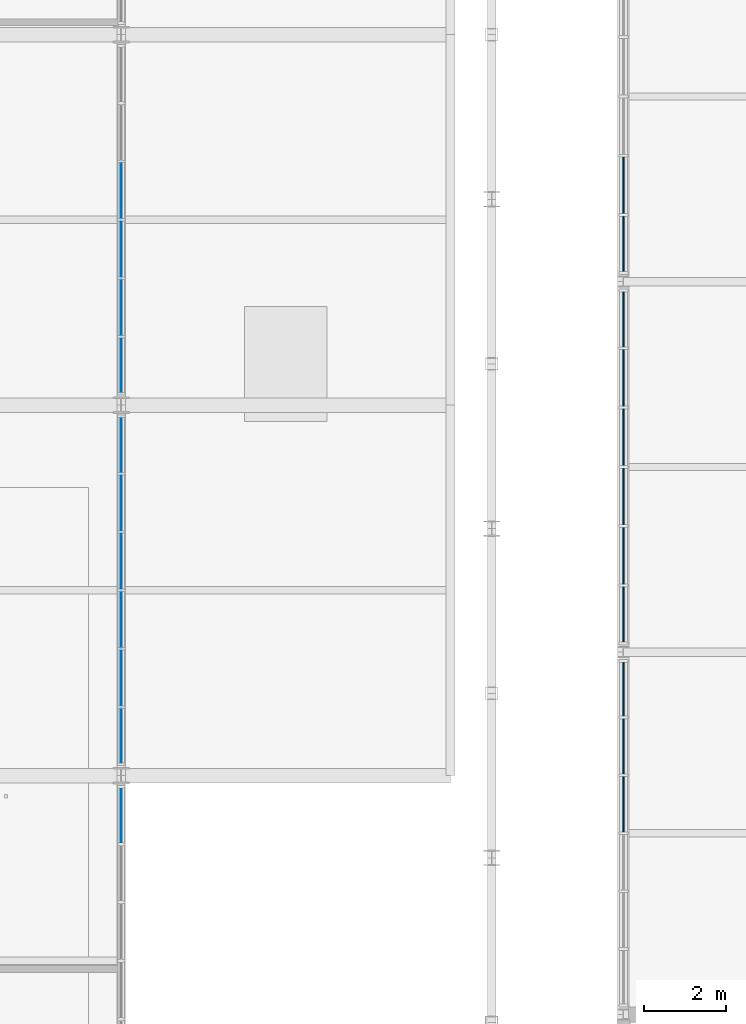
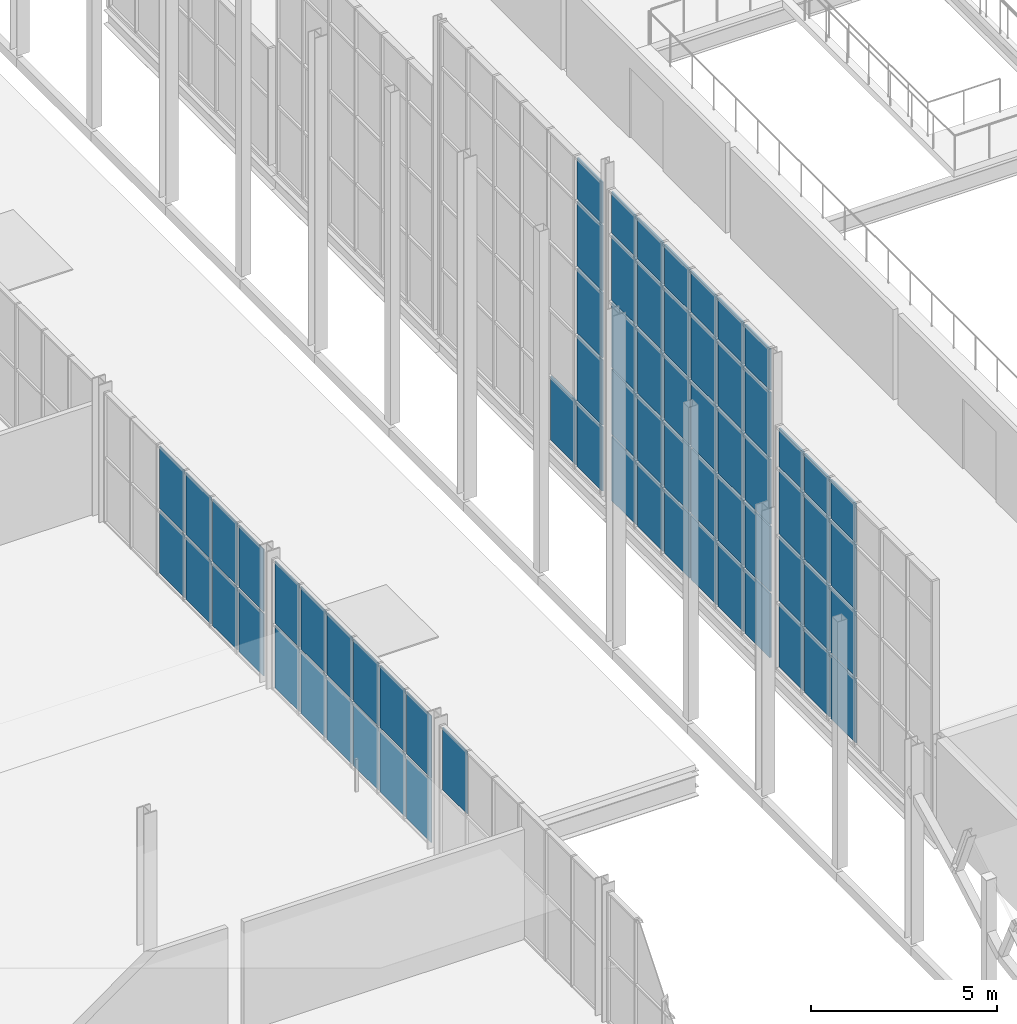
# One storey, part 95 of 134: 69 plates, 6 elements without a shape of their own.
"""IFC4 building model written with IfcOpenShell, lengths in metres."""

from ifc_helpers import new_model, si_unit, direction, frame, origin, origin_2d, place, context, subcontext, project, spatial, rectangle, extrude, material, layer, layer_set, type_object, element, aggregate, save


model = new_model("IFC4")

# Units and contexts
model_context = context("Model", 3, precision=1e-05, world=origin(), true_north=direction((0.0, 1.0)))
body_context = subcontext(model_context, "Body", "Model", "MODEL_VIEW")
ifc_project = project(units=[si_unit("LENGTHUNIT", "METRE"), si_unit("AREAUNIT", "SQUARE_METRE"), si_unit("VOLUMEUNIT", "CUBIC_METRE"), si_unit("PLANEANGLEUNIT", "RADIAN"), si_unit("MASSUNIT", "GRAM", prefix="KILO")], contexts=[model_context])

# Site, building, storey
site_placement = place(None, origin())
site = spatial("IfcSite", under=ifc_project, at=site_placement, CompositionType="ELEMENT")
building_placement = place(site_placement, origin())
building = spatial("IfcBuilding", under=site, at=building_placement, Name="Cazmaro Siding Exhibition Halls", CompositionType="ELEMENT")
storey_placement = place(building_placement, frame((0.0, 0.0, 12.0)))
storey = spatial("IfcBuildingStorey", under=building, at=storey_placement, Name="L02", CompositionType="ELEMENT", Elevation=12.0)

# Curtain wall, plate
ifc_material_1 = material(Name="Anodized Bronze Aluminum and Solar-Control Low-E Glazing", Category="aluminium")
ifc_layer_1 = layer(ifc_material_1, 0.179931640625)
ifc_layer_set_1 = layer_set([ifc_layer_1], Name="Anodized Bronze Aluminum and Solar-Control Low-E Glazing")
curtain_wall_type_1 = type_object("IfcCurtainWallType", Name="CWS-01", PredefinedType="USERDEFINED", material=ifc_layer_set_1)
curtain_wall_1_placement = place(storey_placement, origin())
curtain_wall_1 = element("IfcCurtainWall", 1, at=curtain_wall_1_placement, inside=storey, type_object=curtain_wall_type_1, Name="Glazed Curtain Wall CWS-01 CW-238", ObjectType="GLAZED CURTAIN WALL", PredefinedType="USERDEFINED")
ifc_material_2 = material(Name="Solar-Control Low-E Double Insulating Glass", Category="glass")
ifc_layer_2 = layer(ifc_material_2, 0.02392578125)
ifc_layer_set_2 = layer_set([ifc_layer_2], Name="Solar-Control Low-E Double Insulating Glass")
plate_type_1 = type_object("IfcPlateType", Name="CWP-01", PredefinedType="CURTAIN_PANEL", material=ifc_layer_set_2)
plate_1_placement = place(storey_placement, frame((36.0, 81.03076171875, 2.169921875), z_axis=(0.0, 0.0, 1.0), x_axis=(0.0, 1.0, 0.0)))
plate_1 = element("IfcPlate", 2, at=plate_1_placement, type_object=plate_type_1, Name="CWS-01 panel 6.2", PredefinedType="CURTAIN_PANEL", context=body_context, shape_type="SweptSolid", body=[
    extrude(rectangle(XDim=1.328369140625, YDim=0.02392578125, at=origin_2d()), origin(), (0.0, 0.0, 1.0), 2.050048828125),
])
aggregate(curtain_wall_1, [plate_1])

# Curtain wall, plates
curtain_wall_2_placement = place(storey_placement, origin())
curtain_wall_2 = element("IfcCurtainWall", 3, at=curtain_wall_2_placement, inside=storey, type_object=curtain_wall_type_1, Name="Glazed Curtain Wall CWS-01 CW-240", ObjectType="GLAZED CURTAIN WALL", PredefinedType="USERDEFINED")
plate_2_placement = place(storey_placement, frame((36.0, 82.96923828125, 0.06005859375), z_axis=(0.0, 0.0, 1.0), x_axis=(0.0, 1.0, 0.0)))
plate_2 = element("IfcPlate", 4, at=plate_2_placement, type_object=plate_type_1, Name="CWS-01 panel 1.1", PredefinedType="CURTAIN_PANEL", context=body_context, shape_type="SweptSolid", body=[
    extrude(rectangle(XDim=1.328369140625, YDim=0.02392578125, at=origin_2d()), origin(), (0.0, 0.0, 1.0), 2.050048828125),
])
plate_3_placement = place(storey_placement, frame((36.0, 82.96923828125, 2.169921875), z_axis=(0.0, 0.0, 1.0), x_axis=(0.0, 1.0, 0.0)))
plate_3 = element("IfcPlate", 5, at=plate_3_placement, type_object=plate_type_1, Name="CWS-01 panel 1.2", PredefinedType="CURTAIN_PANEL", context=body_context, shape_type="SweptSolid", body=[
    extrude(rectangle(XDim=1.328369140625, YDim=0.02392578125, at=origin_2d()), origin(), (0.0, 0.0, 1.0), 2.050048828125),
])
plate_4_placement = place(storey_placement, frame((36.0, 84.37255859375, 0.06005859375), z_axis=(0.0, 0.0, 1.0), x_axis=(0.0, 1.0, 0.0)))
plate_4 = element("IfcPlate", 6, at=plate_4_placement, type_object=plate_type_1, Name="CWS-01 panel 2.1", PredefinedType="CURTAIN_PANEL", context=body_context, shape_type="SweptSolid", body=[
    extrude(rectangle(XDim=1.3583984375, YDim=0.02392578125, at=origin_2d()), origin(), (0.0, 0.0, 1.0), 2.050048828125),
])
plate_5_placement = place(storey_placement, frame((36.0, 84.37255859375, 2.169921875), z_axis=(0.0, 0.0, 1.0), x_axis=(0.0, 1.0, 0.0)))
plate_5 = element("IfcPlate", 7, at=plate_5_placement, type_object=plate_type_1, Name="CWS-01 panel 2.2", PredefinedType="CURTAIN_PANEL", context=body_context, shape_type="SweptSolid", body=[
    extrude(rectangle(XDim=1.3583984375, YDim=0.02392578125, at=origin_2d()), origin(), (0.0, 0.0, 1.0), 2.050048828125),
])
plate_6_placement = place(storey_placement, frame((36.0, 85.790771484375, 0.06005859375), z_axis=(0.0, 0.0, 1.0), x_axis=(0.0, 1.0, 0.0)))
plate_6 = element("IfcPlate", 8, at=plate_6_placement, type_object=plate_type_1, Name="CWS-01 panel 3.1", PredefinedType="CURTAIN_PANEL", context=body_context, shape_type="SweptSolid", body=[
    extrude(rectangle(XDim=1.3583984375, YDim=0.02392578125, at=origin_2d()), origin(), (0.0, 0.0, 1.0), 2.050048828125),
])
plate_7_placement = place(storey_placement, frame((36.0, 85.790771484375, 2.169921875), z_axis=(0.0, 0.0, 1.0), x_axis=(0.0, 1.0, 0.0)))
plate_7 = element("IfcPlate", 9, at=plate_7_placement, type_object=plate_type_1, Name="CWS-01 panel 3.2", PredefinedType="CURTAIN_PANEL", context=body_context, shape_type="SweptSolid", body=[
    extrude(rectangle(XDim=1.3583984375, YDim=0.02392578125, at=origin_2d()), origin(), (0.0, 0.0, 1.0), 2.050048828125),
])
plate_8_placement = place(storey_placement, frame((36.0, 87.209228515625, 0.06005859375), z_axis=(0.0, 0.0, 1.0), x_axis=(0.0, 1.0, 0.0)))
plate_8 = element("IfcPlate", 10, at=plate_8_placement, type_object=plate_type_1, Name="CWS-01 panel 4.1", PredefinedType="CURTAIN_PANEL", context=body_context, shape_type="SweptSolid", body=[
    extrude(rectangle(XDim=1.3583984375, YDim=0.02392578125, at=origin_2d()), origin(), (0.0, 0.0, 1.0), 2.050048828125),
])
plate_9_placement = place(storey_placement, frame((36.0, 87.209228515625, 2.169921875), z_axis=(0.0, 0.0, 1.0), x_axis=(0.0, 1.0, 0.0)))
plate_9 = element("IfcPlate", 11, at=plate_9_placement, type_object=plate_type_1, Name="CWS-01 panel 4.2", PredefinedType="CURTAIN_PANEL", context=body_context, shape_type="SweptSolid", body=[
    extrude(rectangle(XDim=1.3583984375, YDim=0.02392578125, at=origin_2d()), origin(), (0.0, 0.0, 1.0), 2.050048828125),
])
plate_10_placement = place(storey_placement, frame((36.0, 88.62744140625, 0.06005859375), z_axis=(0.0, 0.0, 1.0), x_axis=(0.0, 1.0, 0.0)))
plate_10 = element("IfcPlate", 12, at=plate_10_placement, type_object=plate_type_1, Name="CWS-01 panel 5.1", PredefinedType="CURTAIN_PANEL", context=body_context, shape_type="SweptSolid", body=[
    extrude(rectangle(XDim=1.3583984375, YDim=0.02392578125, at=origin_2d()), origin(), (0.0, 0.0, 1.0), 2.050048828125),
])
plate_11_placement = place(storey_placement, frame((36.0, 88.62744140625, 2.169921875), z_axis=(0.0, 0.0, 1.0), x_axis=(0.0, 1.0, 0.0)))
plate_11 = element("IfcPlate", 13, at=plate_11_placement, type_object=plate_type_1, Name="CWS-01 panel 5.2", PredefinedType="CURTAIN_PANEL", context=body_context, shape_type="SweptSolid", body=[
    extrude(rectangle(XDim=1.3583984375, YDim=0.02392578125, at=origin_2d()), origin(), (0.0, 0.0, 1.0), 2.050048828125),
])
plate_12_placement = place(storey_placement, frame((36.0, 90.03076171875, 0.06005859375), z_axis=(0.0, 0.0, 1.0), x_axis=(0.0, 1.0, 0.0)))
plate_12 = element("IfcPlate", 14, at=plate_12_placement, type_object=plate_type_1, Name="CWS-01 panel 6.1", PredefinedType="CURTAIN_PANEL", context=body_context, shape_type="SweptSolid", body=[
    extrude(rectangle(XDim=1.328369140625, YDim=0.02392578125, at=origin_2d()), origin(), (0.0, 0.0, 1.0), 2.050048828125),
])
plate_13_placement = place(storey_placement, frame((36.0, 90.03076171875, 2.169921875), z_axis=(0.0, 0.0, 1.0), x_axis=(0.0, 1.0, 0.0)))
plate_13 = element("IfcPlate", 15, at=plate_13_placement, type_object=plate_type_1, Name="CWS-01 panel 6.2", PredefinedType="CURTAIN_PANEL", context=body_context, shape_type="SweptSolid", body=[
    extrude(rectangle(XDim=1.328369140625, YDim=0.02392578125, at=origin_2d()), origin(), (0.0, 0.0, 1.0), 2.050048828125),
])
aggregate(curtain_wall_2, [plate_2, plate_3, plate_4, plate_5, plate_6, plate_7, plate_8, plate_9, plate_10, plate_11, plate_12, plate_13])

curtain_wall_3_placement = place(storey_placement, origin())
curtain_wall_3 = element("IfcCurtainWall", 16, at=curtain_wall_3_placement, inside=storey, type_object=curtain_wall_type_1, Name="Glazed Curtain Wall CWS-01 CW-241", ObjectType="GLAZED CURTAIN WALL", PredefinedType="USERDEFINED")
plate_14_placement = place(storey_placement, frame((36.0, 91.96923828125, 0.06005859375), z_axis=(0.0, 0.0, 1.0), x_axis=(0.0, 1.0, 0.0)))
plate_14 = element("IfcPlate", 17, at=plate_14_placement, type_object=plate_type_1, Name="CWS-01 panel 1.1", PredefinedType="CURTAIN_PANEL", context=body_context, shape_type="SweptSolid", body=[
    extrude(rectangle(XDim=1.328369140625, YDim=0.02392578125, at=origin_2d()), origin(), (0.0, 0.0, 1.0), 2.050048828125),
])
plate_15_placement = place(storey_placement, frame((36.0, 91.96923828125, 2.169921875), z_axis=(0.0, 0.0, 1.0), x_axis=(0.0, 1.0, 0.0)))
plate_15 = element("IfcPlate", 18, at=plate_15_placement, type_object=plate_type_1, Name="CWS-01 panel 1.2", PredefinedType="CURTAIN_PANEL", context=body_context, shape_type="SweptSolid", body=[
    extrude(rectangle(XDim=1.328369140625, YDim=0.02392578125, at=origin_2d()), origin(), (0.0, 0.0, 1.0), 2.050048828125),
])
plate_16_placement = place(storey_placement, frame((36.0, 93.37255859375, 0.06005859375), z_axis=(0.0, 0.0, 1.0), x_axis=(0.0, 1.0, 0.0)))
plate_16 = element("IfcPlate", 19, at=plate_16_placement, type_object=plate_type_1, Name="CWS-01 panel 2.1", PredefinedType="CURTAIN_PANEL", context=body_context, shape_type="SweptSolid", body=[
    extrude(rectangle(XDim=1.3583984375, YDim=0.02392578125, at=origin_2d()), origin(), (0.0, 0.0, 1.0), 2.050048828125),
])
plate_17_placement = place(storey_placement, frame((36.0, 93.37255859375, 2.169921875), z_axis=(0.0, 0.0, 1.0), x_axis=(0.0, 1.0, 0.0)))
plate_17 = element("IfcPlate", 20, at=plate_17_placement, type_object=plate_type_1, Name="CWS-01 panel 2.2", PredefinedType="CURTAIN_PANEL", context=body_context, shape_type="SweptSolid", body=[
    extrude(rectangle(XDim=1.3583984375, YDim=0.02392578125, at=origin_2d()), origin(), (0.0, 0.0, 1.0), 2.050048828125),
])
plate_18_placement = place(storey_placement, frame((36.0, 94.790771484375, 0.06005859375), z_axis=(0.0, 0.0, 1.0), x_axis=(0.0, 1.0, 0.0)))
plate_18 = element("IfcPlate", 21, at=plate_18_placement, type_object=plate_type_1, Name="CWS-01 panel 3.1", PredefinedType="CURTAIN_PANEL", context=body_context, shape_type="SweptSolid", body=[
    extrude(rectangle(XDim=1.3583984375, YDim=0.02392578125, at=origin_2d()), origin(), (0.0, 0.0, 1.0), 2.050048828125),
])
plate_19_placement = place(storey_placement, frame((36.0, 94.790771484375, 2.169921875), z_axis=(0.0, 0.0, 1.0), x_axis=(0.0, 1.0, 0.0)))
plate_19 = element("IfcPlate", 22, at=plate_19_placement, type_object=plate_type_1, Name="CWS-01 panel 3.2", PredefinedType="CURTAIN_PANEL", context=body_context, shape_type="SweptSolid", body=[
    extrude(rectangle(XDim=1.3583984375, YDim=0.02392578125, at=origin_2d()), origin(), (0.0, 0.0, 1.0), 2.050048828125),
])
plate_20_placement = place(storey_placement, frame((36.0, 96.209228515625, 0.06005859375), z_axis=(0.0, 0.0, 1.0), x_axis=(0.0, 1.0, 0.0)))
plate_20 = element("IfcPlate", 23, at=plate_20_placement, type_object=plate_type_1, Name="CWS-01 panel 4.1", PredefinedType="CURTAIN_PANEL", context=body_context, shape_type="SweptSolid", body=[
    extrude(rectangle(XDim=1.3583984375, YDim=0.02392578125, at=origin_2d()), origin(), (0.0, 0.0, 1.0), 2.050048828125),
])
plate_21_placement = place(storey_placement, frame((36.0, 96.209228515625, 2.169921875), z_axis=(0.0, 0.0, 1.0), x_axis=(0.0, 1.0, 0.0)))
plate_21 = element("IfcPlate", 24, at=plate_21_placement, type_object=plate_type_1, Name="CWS-01 panel 4.2", PredefinedType="CURTAIN_PANEL", context=body_context, shape_type="SweptSolid", body=[
    extrude(rectangle(XDim=1.3583984375, YDim=0.02392578125, at=origin_2d()), origin(), (0.0, 0.0, 1.0), 2.050048828125),
])
aggregate(curtain_wall_3, [plate_14, plate_15, plate_16, plate_17, plate_18, plate_19, plate_20, plate_21])

ifc_material_3 = material(Name="Anodized Bronze Aluminum and Solar-Control Low-E Glazing", Category="aluminium")
ifc_layer_3 = layer(ifc_material_3, 0.219970703125)
ifc_layer_set_3 = layer_set([ifc_layer_3], Name="Anodized Bronze Aluminum and Solar-Control Low-E Glazing")
curtain_wall_type_2 = type_object("IfcCurtainWallType", Name="CWS-03", PredefinedType="USERDEFINED", material=ifc_layer_set_3)
curtain_wall_4_placement = place(storey_placement, origin())
curtain_wall_4 = element("IfcCurtainWall", 25, at=curtain_wall_4_placement, inside=storey, type_object=curtain_wall_type_2, Name="Glazed Curtain Wall CWS-03 CW-052", ObjectType="GLAZED CURTAIN WALL", PredefinedType="USERDEFINED")
ifc_material_4 = material(Name="Solar-Control Low-E Double Insulating Glass", Category="glass")
ifc_layer_4 = layer(ifc_material_4, 0.0458984375)
ifc_layer_set_4 = layer_set([ifc_layer_4], Name="Solar-Control Low-E Double Insulating Glass")
plate_type_2 = type_object("IfcPlateType", Name="CWP-03", PredefinedType="CURTAIN_PANEL", material=ifc_layer_set_4)
plate_22_placement = place(storey_placement, frame((48.199951171875, 84.1015625, 0.06982421875), z_axis=(0.0, 0.0, 1.0), x_axis=(0.0, -1.0, 0.0)))
plate_22 = element("IfcPlate", 26, at=plate_22_placement, type_object=plate_type_2, Name="CWS-03 panel 1.1", PredefinedType="CURTAIN_PANEL", context=body_context, shape_type="SweptSolid", body=[
    extrude(rectangle(XDim=1.302734375, YDim=0.0458984375, at=origin_2d()), origin(), (0.0, 0.0, 1.0), 2.094970703125),
])
plate_23_placement = place(storey_placement, frame((48.199951171875, 84.1015625, 2.235107421875), z_axis=(0.0, 0.0, 1.0), x_axis=(0.0, -1.0, 0.0)))
plate_23 = element("IfcPlate", 27, at=plate_23_placement, type_object=plate_type_2, Name="CWS-03 panel 1.2", PredefinedType="CURTAIN_PANEL", context=body_context, shape_type="SweptSolid", body=[
    extrude(rectangle(XDim=1.302734375, YDim=0.0458984375, at=origin_2d()), origin(), (0.0, 0.0, 1.0), 2.1298828125),
])
plate_24_placement = place(storey_placement, frame((48.199951171875, 84.1015625, 4.43505859375), z_axis=(0.0, 0.0, 1.0), x_axis=(0.0, -1.0, 0.0)))
plate_24 = element("IfcPlate", 28, at=plate_24_placement, type_object=plate_type_2, Name="CWS-03 panel 1.3", PredefinedType="CURTAIN_PANEL", context=body_context, shape_type="SweptSolid", body=[
    extrude(rectangle(XDim=1.302734375, YDim=0.0458984375, at=origin_2d()), origin(), (0.0, 0.0, 1.0), 2.1298828125),
])
plate_25_placement = place(storey_placement, frame((48.199951171875, 84.1015625, 6.635009765625), z_axis=(0.0, 0.0, 1.0), x_axis=(0.0, -1.0, 0.0)))
plate_25 = element("IfcPlate", 29, at=plate_25_placement, type_object=plate_type_2, Name="CWS-03 panel 1.4", PredefinedType="CURTAIN_PANEL", context=body_context, shape_type="SweptSolid", body=[
    extrude(rectangle(XDim=1.302734375, YDim=0.0458984375, at=origin_2d()), origin(), (0.0, 0.0, 1.0), 1.26806640625),
])
plate_26_placement = place(storey_placement, frame((48.199951171875, 82.71142578125, 0.06982421875), z_axis=(0.0, 0.0, 1.0), x_axis=(0.0, -1.0, 0.0)))
plate_26 = element("IfcPlate", 30, at=plate_26_placement, type_object=plate_type_2, Name="CWS-03 panel 2.1", PredefinedType="CURTAIN_PANEL", context=body_context, shape_type="SweptSolid", body=[
    extrude(rectangle(XDim=1.337646484375, YDim=0.0458984375, at=origin_2d()), origin(), (0.0, 0.0, 1.0), 2.094970703125),
])
plate_27_placement = place(storey_placement, frame((48.199951171875, 82.71142578125, 2.235107421875), z_axis=(0.0, 0.0, 1.0), x_axis=(0.0, -1.0, 0.0)))
plate_27 = element("IfcPlate", 31, at=plate_27_placement, type_object=plate_type_2, Name="CWS-03 panel 2.2", PredefinedType="CURTAIN_PANEL", context=body_context, shape_type="SweptSolid", body=[
    extrude(rectangle(XDim=1.337646484375, YDim=0.0458984375, at=origin_2d()), origin(), (0.0, 0.0, 1.0), 2.1298828125),
])
plate_28_placement = place(storey_placement, frame((48.199951171875, 82.71142578125, 4.43505859375), z_axis=(0.0, 0.0, 1.0), x_axis=(0.0, -1.0, 0.0)))
plate_28 = element("IfcPlate", 32, at=plate_28_placement, type_object=plate_type_2, Name="CWS-03 panel 2.3", PredefinedType="CURTAIN_PANEL", context=body_context, shape_type="SweptSolid", body=[
    extrude(rectangle(XDim=1.337646484375, YDim=0.0458984375, at=origin_2d()), origin(), (0.0, 0.0, 1.0), 2.1298828125),
])
plate_29_placement = place(storey_placement, frame((48.199951171875, 82.71142578125, 6.635009765625), z_axis=(0.0, 0.0, 1.0), x_axis=(0.0, -1.0, 0.0)))
plate_29 = element("IfcPlate", 33, at=plate_29_placement, type_object=plate_type_2, Name="CWS-03 panel 2.4", PredefinedType="CURTAIN_PANEL", context=body_context, shape_type="SweptSolid", body=[
    extrude(rectangle(XDim=1.337646484375, YDim=0.0458984375, at=origin_2d()), origin(), (0.0, 0.0, 1.0), 1.26806640625),
])
plate_30_placement = place(storey_placement, frame((48.199951171875, 81.303955078125, 0.06982421875), z_axis=(0.0, 0.0, 1.0), x_axis=(0.0, -1.0, 0.0)))
plate_30 = element("IfcPlate", 34, at=plate_30_placement, type_object=plate_type_2, Name="CWS-03 panel 3.1", PredefinedType="CURTAIN_PANEL", context=body_context, shape_type="SweptSolid", body=[
    extrude(rectangle(XDim=1.337646484375, YDim=0.0458984375, at=origin_2d()), origin(), (0.0, 0.0, 1.0), 2.094970703125),
])
plate_31_placement = place(storey_placement, frame((48.199951171875, 81.303955078125, 2.235107421875), z_axis=(0.0, 0.0, 1.0), x_axis=(0.0, -1.0, 0.0)))
plate_31 = element("IfcPlate", 35, at=plate_31_placement, type_object=plate_type_2, Name="CWS-03 panel 3.2", PredefinedType="CURTAIN_PANEL", context=body_context, shape_type="SweptSolid", body=[
    extrude(rectangle(XDim=1.337646484375, YDim=0.0458984375, at=origin_2d()), origin(), (0.0, 0.0, 1.0), 2.1298828125),
])
plate_32_placement = place(storey_placement, frame((48.199951171875, 81.303955078125, 4.43505859375), z_axis=(0.0, 0.0, 1.0), x_axis=(0.0, -1.0, 0.0)))
plate_32 = element("IfcPlate", 36, at=plate_32_placement, type_object=plate_type_2, Name="CWS-03 panel 3.3", PredefinedType="CURTAIN_PANEL", context=body_context, shape_type="SweptSolid", body=[
    extrude(rectangle(XDim=1.337646484375, YDim=0.0458984375, at=origin_2d()), origin(), (0.0, 0.0, 1.0), 2.1298828125),
])
plate_33_placement = place(storey_placement, frame((48.199951171875, 81.303955078125, 6.635009765625), z_axis=(0.0, 0.0, 1.0), x_axis=(0.0, -1.0, 0.0)))
plate_33 = element("IfcPlate", 37, at=plate_33_placement, type_object=plate_type_2, Name="CWS-03 panel 3.4", PredefinedType="CURTAIN_PANEL", context=body_context, shape_type="SweptSolid", body=[
    extrude(rectangle(XDim=1.337646484375, YDim=0.0458984375, at=origin_2d()), origin(), (0.0, 0.0, 1.0), 1.26806640625),
])
aggregate(curtain_wall_4, [plate_22, plate_23, plate_24, plate_25, plate_26, plate_27, plate_28, plate_29, plate_30, plate_31, plate_32, plate_33])

curtain_wall_5_placement = place(storey_placement, origin())
curtain_wall_5 = element("IfcCurtainWall", 38, at=curtain_wall_5_placement, inside=storey, type_object=curtain_wall_type_2, Name="Glazed Curtain Wall CWS-03 CW-055", ObjectType="GLAZED CURTAIN WALL", PredefinedType="USERDEFINED")
plate_34_placement = place(storey_placement, frame((48.199951171875, 93.0849609375, 0.06982421875), z_axis=(0.0, 0.0, 1.0), x_axis=(0.0, -1.0, 0.0)))
plate_34 = element("IfcPlate", 39, at=plate_34_placement, type_object=plate_type_2, Name="CWS-03 panel 1.1", PredefinedType="CURTAIN_PANEL", context=body_context, shape_type="SweptSolid", body=[
    extrude(rectangle(XDim=1.3359375, YDim=0.0458984375, at=origin_2d()), origin(), (0.0, 0.0, 1.0), 2.094970703125),
])
plate_35_placement = place(storey_placement, frame((48.199951171875, 93.0849609375, 2.235107421875), z_axis=(0.0, 0.0, 1.0), x_axis=(0.0, -1.0, 0.0)))
plate_35 = element("IfcPlate", 40, at=plate_35_placement, type_object=plate_type_2, Name="CWS-03 panel 1.2", PredefinedType="CURTAIN_PANEL", context=body_context, shape_type="SweptSolid", body=[
    extrude(rectangle(XDim=1.3359375, YDim=0.0458984375, at=origin_2d()), origin(), (0.0, 0.0, 1.0), 2.1298828125),
])
plate_36_placement = place(storey_placement, frame((48.199951171875, 93.0849609375, 4.43505859375), z_axis=(0.0, 0.0, 1.0), x_axis=(0.0, -1.0, 0.0)))
plate_36 = element("IfcPlate", 41, at=plate_36_placement, type_object=plate_type_2, Name="CWS-03 panel 1.3", PredefinedType="CURTAIN_PANEL", context=body_context, shape_type="SweptSolid", body=[
    extrude(rectangle(XDim=1.3359375, YDim=0.0458984375, at=origin_2d()), origin(), (0.0, 0.0, 1.0), 2.1298828125),
])
plate_37_placement = place(storey_placement, frame((48.199951171875, 93.0849609375, 6.635009765625), z_axis=(0.0, 0.0, 1.0), x_axis=(0.0, -1.0, 0.0)))
plate_37 = element("IfcPlate", 42, at=plate_37_placement, type_object=plate_type_2, Name="CWS-03 panel 1.4", PredefinedType="CURTAIN_PANEL", context=body_context, shape_type="SweptSolid", body=[
    extrude(rectangle(XDim=1.3359375, YDim=0.0458984375, at=origin_2d()), origin(), (0.0, 0.0, 1.0), 2.1298828125),
])
plate_38_placement = place(storey_placement, frame((48.199951171875, 93.0849609375, 8.8349609375), z_axis=(0.0, 0.0, 1.0), x_axis=(0.0, -1.0, 0.0)))
plate_38 = element("IfcPlate", 43, at=plate_38_placement, type_object=plate_type_2, Name="CWS-03 panel 1.5", PredefinedType="CURTAIN_PANEL", context=body_context, shape_type="SweptSolid", body=[
    extrude(rectangle(XDim=1.3359375, YDim=0.0458984375, at=origin_2d()), origin(), (0.0, 0.0, 1.0), 1.35302734375),
])
plate_39_placement = place(storey_placement, frame((48.199951171875, 91.66162109375, 0.06982421875), z_axis=(0.0, 0.0, 1.0), x_axis=(0.0, -1.0, 0.0)))
plate_39 = element("IfcPlate", 44, at=plate_39_placement, type_object=plate_type_2, Name="CWS-03 panel 2.1", PredefinedType="CURTAIN_PANEL", context=body_context, shape_type="SweptSolid", body=[
    extrude(rectangle(XDim=1.37109375, YDim=0.0458984375, at=origin_2d()), origin(), (0.0, 0.0, 1.0), 2.094970703125),
])
plate_40_placement = place(storey_placement, frame((48.199951171875, 91.66162109375, 2.235107421875), z_axis=(0.0, 0.0, 1.0), x_axis=(0.0, -1.0, 0.0)))
plate_40 = element("IfcPlate", 45, at=plate_40_placement, type_object=plate_type_2, Name="CWS-03 panel 2.2", PredefinedType="CURTAIN_PANEL", context=body_context, shape_type="SweptSolid", body=[
    extrude(rectangle(XDim=1.37109375, YDim=0.0458984375, at=origin_2d()), origin(), (0.0, 0.0, 1.0), 2.1298828125),
])
plate_41_placement = place(storey_placement, frame((48.199951171875, 91.66162109375, 4.43505859375), z_axis=(0.0, 0.0, 1.0), x_axis=(0.0, -1.0, 0.0)))
plate_41 = element("IfcPlate", 46, at=plate_41_placement, type_object=plate_type_2, Name="CWS-03 panel 2.3", PredefinedType="CURTAIN_PANEL", context=body_context, shape_type="SweptSolid", body=[
    extrude(rectangle(XDim=1.37109375, YDim=0.0458984375, at=origin_2d()), origin(), (0.0, 0.0, 1.0), 2.1298828125),
])
plate_42_placement = place(storey_placement, frame((48.199951171875, 91.66162109375, 6.635009765625), z_axis=(0.0, 0.0, 1.0), x_axis=(0.0, -1.0, 0.0)))
plate_42 = element("IfcPlate", 47, at=plate_42_placement, type_object=plate_type_2, Name="CWS-03 panel 2.4", PredefinedType="CURTAIN_PANEL", context=body_context, shape_type="SweptSolid", body=[
    extrude(rectangle(XDim=1.37109375, YDim=0.0458984375, at=origin_2d()), origin(), (0.0, 0.0, 1.0), 2.1298828125),
])
plate_43_placement = place(storey_placement, frame((48.199951171875, 91.66162109375, 8.8349609375), z_axis=(0.0, 0.0, 1.0), x_axis=(0.0, -1.0, 0.0)))
plate_43 = element("IfcPlate", 48, at=plate_43_placement, type_object=plate_type_2, Name="CWS-03 panel 2.5", PredefinedType="CURTAIN_PANEL", context=body_context, shape_type="SweptSolid", body=[
    extrude(rectangle(XDim=1.37109375, YDim=0.0458984375, at=origin_2d()), origin(), (0.0, 0.0, 1.0), 1.35302734375),
])
plate_44_placement = place(storey_placement, frame((48.199951171875, 90.220458984375, 0.06982421875), z_axis=(0.0, 0.0, 1.0), x_axis=(0.0, -1.0, 0.0)))
plate_44 = element("IfcPlate", 49, at=plate_44_placement, type_object=plate_type_2, Name="CWS-03 panel 3.1", PredefinedType="CURTAIN_PANEL", context=body_context, shape_type="SweptSolid", body=[
    extrude(rectangle(XDim=1.37109375, YDim=0.0458984375, at=origin_2d()), origin(), (0.0, 0.0, 1.0), 2.094970703125),
])
plate_45_placement = place(storey_placement, frame((48.199951171875, 90.220458984375, 2.235107421875), z_axis=(0.0, 0.0, 1.0), x_axis=(0.0, -1.0, 0.0)))
plate_45 = element("IfcPlate", 50, at=plate_45_placement, type_object=plate_type_2, Name="CWS-03 panel 3.2", PredefinedType="CURTAIN_PANEL", context=body_context, shape_type="SweptSolid", body=[
    extrude(rectangle(XDim=1.37109375, YDim=0.0458984375, at=origin_2d()), origin(), (0.0, 0.0, 1.0), 2.1298828125),
])
plate_46_placement = place(storey_placement, frame((48.199951171875, 90.220458984375, 4.43505859375), z_axis=(0.0, 0.0, 1.0), x_axis=(0.0, -1.0, 0.0)))
plate_46 = element("IfcPlate", 51, at=plate_46_placement, type_object=plate_type_2, Name="CWS-03 panel 3.3", PredefinedType="CURTAIN_PANEL", context=body_context, shape_type="SweptSolid", body=[
    extrude(rectangle(XDim=1.37109375, YDim=0.0458984375, at=origin_2d()), origin(), (0.0, 0.0, 1.0), 2.1298828125),
])
plate_47_placement = place(storey_placement, frame((48.199951171875, 90.220458984375, 6.635009765625), z_axis=(0.0, 0.0, 1.0), x_axis=(0.0, -1.0, 0.0)))
plate_47 = element("IfcPlate", 52, at=plate_47_placement, type_object=plate_type_2, Name="CWS-03 panel 3.4", PredefinedType="CURTAIN_PANEL", context=body_context, shape_type="SweptSolid", body=[
    extrude(rectangle(XDim=1.37109375, YDim=0.0458984375, at=origin_2d()), origin(), (0.0, 0.0, 1.0), 2.1298828125),
])
plate_48_placement = place(storey_placement, frame((48.199951171875, 90.220458984375, 8.8349609375), z_axis=(0.0, 0.0, 1.0), x_axis=(0.0, -1.0, 0.0)))
plate_48 = element("IfcPlate", 53, at=plate_48_placement, type_object=plate_type_2, Name="CWS-03 panel 3.5", PredefinedType="CURTAIN_PANEL", context=body_context, shape_type="SweptSolid", body=[
    extrude(rectangle(XDim=1.37109375, YDim=0.0458984375, at=origin_2d()), origin(), (0.0, 0.0, 1.0), 1.35302734375),
])
plate_49_placement = place(storey_placement, frame((48.199951171875, 88.779541015625, 0.06982421875), z_axis=(0.0, 0.0, 1.0), x_axis=(0.0, -1.0, 0.0)))
plate_49 = element("IfcPlate", 54, at=plate_49_placement, type_object=plate_type_2, Name="CWS-03 panel 4.1", PredefinedType="CURTAIN_PANEL", context=body_context, shape_type="SweptSolid", body=[
    extrude(rectangle(XDim=1.37109375, YDim=0.0458984375, at=origin_2d()), origin(), (0.0, 0.0, 1.0), 2.094970703125),
])
plate_50_placement = place(storey_placement, frame((48.199951171875, 88.779541015625, 2.235107421875), z_axis=(0.0, 0.0, 1.0), x_axis=(0.0, -1.0, 0.0)))
plate_50 = element("IfcPlate", 55, at=plate_50_placement, type_object=plate_type_2, Name="CWS-03 panel 4.2", PredefinedType="CURTAIN_PANEL", context=body_context, shape_type="SweptSolid", body=[
    extrude(rectangle(XDim=1.37109375, YDim=0.0458984375, at=origin_2d()), origin(), (0.0, 0.0, 1.0), 2.1298828125),
])
plate_51_placement = place(storey_placement, frame((48.199951171875, 88.779541015625, 4.43505859375), z_axis=(0.0, 0.0, 1.0), x_axis=(0.0, -1.0, 0.0)))
plate_51 = element("IfcPlate", 56, at=plate_51_placement, type_object=plate_type_2, Name="CWS-03 panel 4.3", PredefinedType="CURTAIN_PANEL", context=body_context, shape_type="SweptSolid", body=[
    extrude(rectangle(XDim=1.37109375, YDim=0.0458984375, at=origin_2d()), origin(), (0.0, 0.0, 1.0), 2.1298828125),
])
plate_52_placement = place(storey_placement, frame((48.199951171875, 88.779541015625, 6.635009765625), z_axis=(0.0, 0.0, 1.0), x_axis=(0.0, -1.0, 0.0)))
plate_52 = element("IfcPlate", 57, at=plate_52_placement, type_object=plate_type_2, Name="CWS-03 panel 4.4", PredefinedType="CURTAIN_PANEL", context=body_context, shape_type="SweptSolid", body=[
    extrude(rectangle(XDim=1.37109375, YDim=0.0458984375, at=origin_2d()), origin(), (0.0, 0.0, 1.0), 2.1298828125),
])
plate_53_placement = place(storey_placement, frame((48.199951171875, 88.779541015625, 8.8349609375), z_axis=(0.0, 0.0, 1.0), x_axis=(0.0, -1.0, 0.0)))
plate_53 = element("IfcPlate", 58, at=plate_53_placement, type_object=plate_type_2, Name="CWS-03 panel 4.5", PredefinedType="CURTAIN_PANEL", context=body_context, shape_type="SweptSolid", body=[
    extrude(rectangle(XDim=1.37109375, YDim=0.0458984375, at=origin_2d()), origin(), (0.0, 0.0, 1.0), 1.35302734375),
])
plate_54_placement = place(storey_placement, frame((48.199951171875, 87.33837890625, 0.06982421875), z_axis=(0.0, 0.0, 1.0), x_axis=(0.0, -1.0, 0.0)))
plate_54 = element("IfcPlate", 59, at=plate_54_placement, type_object=plate_type_2, Name="CWS-03 panel 5.1", PredefinedType="CURTAIN_PANEL", context=body_context, shape_type="SweptSolid", body=[
    extrude(rectangle(XDim=1.37109375, YDim=0.0458984375, at=origin_2d()), origin(), (0.0, 0.0, 1.0), 2.094970703125),
])
plate_55_placement = place(storey_placement, frame((48.199951171875, 87.33837890625, 2.235107421875), z_axis=(0.0, 0.0, 1.0), x_axis=(0.0, -1.0, 0.0)))
plate_55 = element("IfcPlate", 60, at=plate_55_placement, type_object=plate_type_2, Name="CWS-03 panel 5.2", PredefinedType="CURTAIN_PANEL", context=body_context, shape_type="SweptSolid", body=[
    extrude(rectangle(XDim=1.37109375, YDim=0.0458984375, at=origin_2d()), origin(), (0.0, 0.0, 1.0), 2.1298828125),
])
plate_56_placement = place(storey_placement, frame((48.199951171875, 87.33837890625, 4.43505859375), z_axis=(0.0, 0.0, 1.0), x_axis=(0.0, -1.0, 0.0)))
plate_56 = element("IfcPlate", 61, at=plate_56_placement, type_object=plate_type_2, Name="CWS-03 panel 5.3", PredefinedType="CURTAIN_PANEL", context=body_context, shape_type="SweptSolid", body=[
    extrude(rectangle(XDim=1.37109375, YDim=0.0458984375, at=origin_2d()), origin(), (0.0, 0.0, 1.0), 2.1298828125),
])
plate_57_placement = place(storey_placement, frame((48.199951171875, 87.33837890625, 6.635009765625), z_axis=(0.0, 0.0, 1.0), x_axis=(0.0, -1.0, 0.0)))
plate_57 = element("IfcPlate", 62, at=plate_57_placement, type_object=plate_type_2, Name="CWS-03 panel 5.4", PredefinedType="CURTAIN_PANEL", context=body_context, shape_type="SweptSolid", body=[
    extrude(rectangle(XDim=1.37109375, YDim=0.0458984375, at=origin_2d()), origin(), (0.0, 0.0, 1.0), 2.1298828125),
])
plate_58_placement = place(storey_placement, frame((48.199951171875, 87.33837890625, 8.8349609375), z_axis=(0.0, 0.0, 1.0), x_axis=(0.0, -1.0, 0.0)))
plate_58 = element("IfcPlate", 63, at=plate_58_placement, type_object=plate_type_2, Name="CWS-03 panel 5.5", PredefinedType="CURTAIN_PANEL", context=body_context, shape_type="SweptSolid", body=[
    extrude(rectangle(XDim=1.37109375, YDim=0.0458984375, at=origin_2d()), origin(), (0.0, 0.0, 1.0), 1.35302734375),
])
plate_59_placement = place(storey_placement, frame((48.199951171875, 85.9150390625, 0.06982421875), z_axis=(0.0, 0.0, 1.0), x_axis=(0.0, -1.0, 0.0)))
plate_59 = element("IfcPlate", 64, at=plate_59_placement, type_object=plate_type_2, Name="CWS-03 panel 6.1", PredefinedType="CURTAIN_PANEL", context=body_context, shape_type="SweptSolid", body=[
    extrude(rectangle(XDim=1.3359375, YDim=0.0458984375, at=origin_2d()), origin(), (0.0, 0.0, 1.0), 2.094970703125),
])
plate_60_placement = place(storey_placement, frame((48.199951171875, 85.9150390625, 2.235107421875), z_axis=(0.0, 0.0, 1.0), x_axis=(0.0, -1.0, 0.0)))
plate_60 = element("IfcPlate", 65, at=plate_60_placement, type_object=plate_type_2, Name="CWS-03 panel 6.2", PredefinedType="CURTAIN_PANEL", context=body_context, shape_type="SweptSolid", body=[
    extrude(rectangle(XDim=1.3359375, YDim=0.0458984375, at=origin_2d()), origin(), (0.0, 0.0, 1.0), 2.1298828125),
])
plate_61_placement = place(storey_placement, frame((48.199951171875, 85.9150390625, 4.43505859375), z_axis=(0.0, 0.0, 1.0), x_axis=(0.0, -1.0, 0.0)))
plate_61 = element("IfcPlate", 66, at=plate_61_placement, type_object=plate_type_2, Name="CWS-03 panel 6.3", PredefinedType="CURTAIN_PANEL", context=body_context, shape_type="SweptSolid", body=[
    extrude(rectangle(XDim=1.3359375, YDim=0.0458984375, at=origin_2d()), origin(), (0.0, 0.0, 1.0), 2.1298828125),
])
plate_62_placement = place(storey_placement, frame((48.199951171875, 85.9150390625, 6.635009765625), z_axis=(0.0, 0.0, 1.0), x_axis=(0.0, -1.0, 0.0)))
plate_62 = element("IfcPlate", 67, at=plate_62_placement, type_object=plate_type_2, Name="CWS-03 panel 6.4", PredefinedType="CURTAIN_PANEL", context=body_context, shape_type="SweptSolid", body=[
    extrude(rectangle(XDim=1.3359375, YDim=0.0458984375, at=origin_2d()), origin(), (0.0, 0.0, 1.0), 2.1298828125),
])
plate_63_placement = place(storey_placement, frame((48.199951171875, 85.9150390625, 8.8349609375), z_axis=(0.0, 0.0, 1.0), x_axis=(0.0, -1.0, 0.0)))
plate_63 = element("IfcPlate", 68, at=plate_63_placement, type_object=plate_type_2, Name="CWS-03 panel 6.5", PredefinedType="CURTAIN_PANEL", context=body_context, shape_type="SweptSolid", body=[
    extrude(rectangle(XDim=1.3359375, YDim=0.0458984375, at=origin_2d()), origin(), (0.0, 0.0, 1.0), 1.35302734375),
])
aggregate(curtain_wall_5, [plate_34, plate_35, plate_36, plate_37, plate_38, plate_39, plate_40, plate_41, plate_42, plate_43, plate_44, plate_45, plate_46, plate_47, plate_48, plate_49, plate_50, plate_51, plate_52, plate_53, plate_54, plate_55, plate_56, plate_57, plate_58, plate_59, plate_60, plate_61, plate_62, plate_63])

curtain_wall_6_placement = place(storey_placement, origin())
curtain_wall_6 = element("IfcCurtainWall", 69, at=curtain_wall_6_placement, inside=storey, type_object=curtain_wall_type_2, Name="Glazed Curtain Wall CWS-03 CW-058", ObjectType="GLAZED CURTAIN WALL", PredefinedType="USERDEFINED")
plate_64_placement = place(storey_placement, frame((48.199951171875, 96.33837890625, 0.06982421875), z_axis=(0.0, 0.0, 1.0), x_axis=(0.0, -1.0, 0.0)))
plate_64 = element("IfcPlate", 70, at=plate_64_placement, type_object=plate_type_2, Name="CWS-03 panel 5.1", PredefinedType="CURTAIN_PANEL", context=body_context, shape_type="SweptSolid", body=[
    extrude(rectangle(XDim=1.37109375, YDim=0.0458984375, at=origin_2d()), origin(), (0.0, 0.0, 1.0), 2.094970703125),
])
plate_65_placement = place(storey_placement, frame((48.199951171875, 94.9150390625, 0.06982421875), z_axis=(0.0, 0.0, 1.0), x_axis=(0.0, -1.0, 0.0)))
plate_65 = element("IfcPlate", 71, at=plate_65_placement, type_object=plate_type_2, Name="CWS-03 panel 6.1", PredefinedType="CURTAIN_PANEL", context=body_context, shape_type="SweptSolid", body=[
    extrude(rectangle(XDim=1.3359375, YDim=0.0458984375, at=origin_2d()), origin(), (0.0, 0.0, 1.0), 2.094970703125),
])
plate_66_placement = place(storey_placement, frame((48.199951171875, 94.9150390625, 2.235107421875), z_axis=(0.0, 0.0, 1.0), x_axis=(0.0, -1.0, 0.0)))
plate_66 = element("IfcPlate", 72, at=plate_66_placement, type_object=plate_type_2, Name="CWS-03 panel 6.2", PredefinedType="CURTAIN_PANEL", context=body_context, shape_type="SweptSolid", body=[
    extrude(rectangle(XDim=1.3359375, YDim=0.0458984375, at=origin_2d()), origin(), (0.0, 0.0, 1.0), 2.1298828125),
])
plate_67_placement = place(storey_placement, frame((48.199951171875, 94.9150390625, 4.43505859375), z_axis=(0.0, 0.0, 1.0), x_axis=(0.0, -1.0, 0.0)))
plate_67 = element("IfcPlate", 73, at=plate_67_placement, type_object=plate_type_2, Name="CWS-03 panel 6.3", PredefinedType="CURTAIN_PANEL", context=body_context, shape_type="SweptSolid", body=[
    extrude(rectangle(XDim=1.3359375, YDim=0.0458984375, at=origin_2d()), origin(), (0.0, 0.0, 1.0), 2.1298828125),
])
plate_68_placement = place(storey_placement, frame((48.199951171875, 94.9150390625, 6.635009765625), z_axis=(0.0, 0.0, 1.0), x_axis=(0.0, -1.0, 0.0)))
plate_68 = element("IfcPlate", 74, at=plate_68_placement, type_object=plate_type_2, Name="CWS-03 panel 6.4", PredefinedType="CURTAIN_PANEL", context=body_context, shape_type="SweptSolid", body=[
    extrude(rectangle(XDim=1.3359375, YDim=0.0458984375, at=origin_2d()), origin(), (0.0, 0.0, 1.0), 2.1298828125),
])
plate_69_placement = place(storey_placement, frame((48.199951171875, 94.9150390625, 8.8349609375), z_axis=(0.0, 0.0, 1.0), x_axis=(0.0, -1.0, 0.0)))
plate_69 = element("IfcPlate", 75, at=plate_69_placement, type_object=plate_type_2, Name="CWS-03 panel 6.5", PredefinedType="CURTAIN_PANEL", context=body_context, shape_type="SweptSolid", body=[
    extrude(rectangle(XDim=1.3359375, YDim=0.0458984375, at=origin_2d()), origin(), (0.0, 0.0, 1.0), 1.35302734375),
])
aggregate(curtain_wall_6, [plate_64, plate_65, plate_66, plate_67, plate_68, plate_69])

save(model, "model.ifc")
